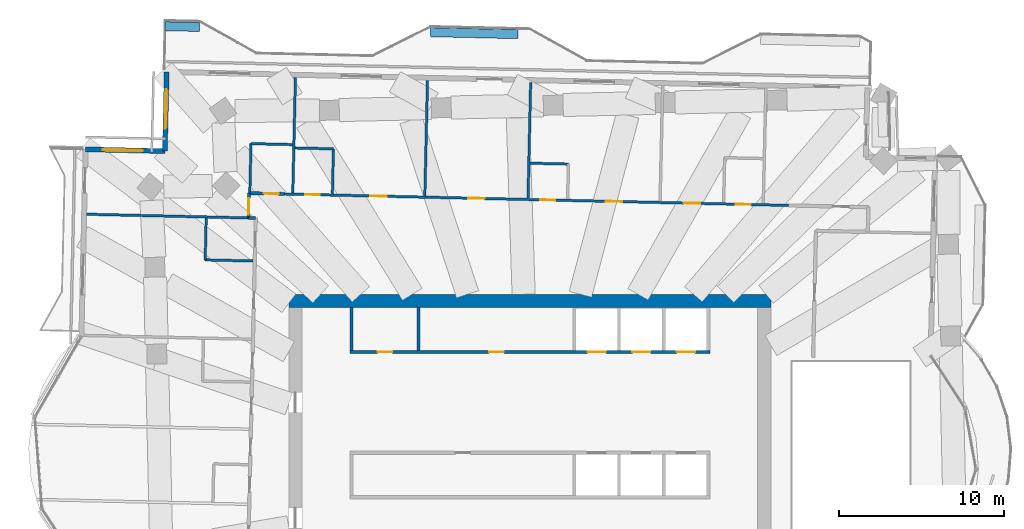
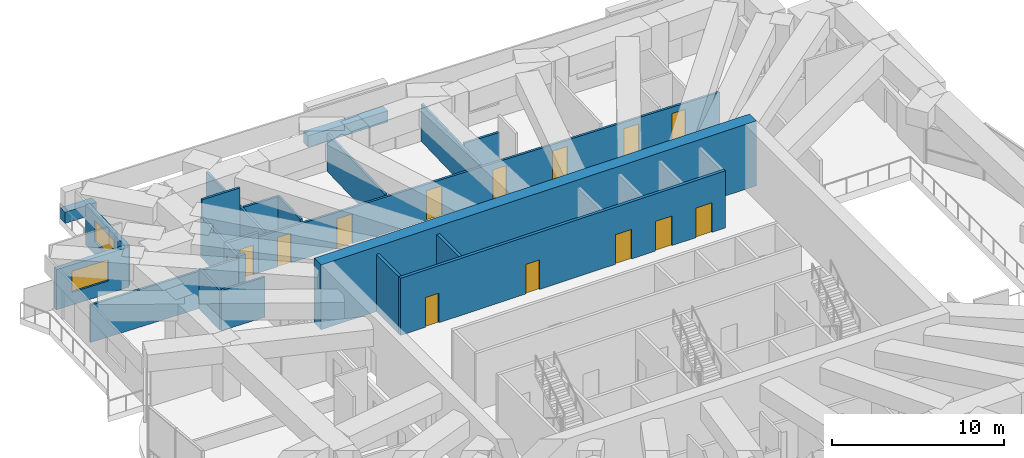
# One storey, part 12 of 19: 23 walls, 14 doors, 2 windows, 16 openings.
"""IFC4 building model written with IfcOpenShell, lengths in metres."""

from ifc_helpers import new_model, si_unit, direction, frame, frame_2d, origin, place, context, subcontext, project, spatial, rectangle, extrude, material, layer, layer_set, type_object, element, fill, save


model = new_model("IFC4")

# Units and contexts
model_context = context("Model", 3, precision=1e-05, world=origin(), true_north=direction((0.0, 1.0)))
body_context = subcontext(model_context, "Body", "Model", "MODEL_VIEW")
ifc_project = project(units=[si_unit("LENGTHUNIT", "METRE"), si_unit("AREAUNIT", "SQUARE_METRE"), si_unit("VOLUMEUNIT", "CUBIC_METRE"), si_unit("PLANEANGLEUNIT", "RADIAN"), si_unit("MASSUNIT", "GRAM", prefix="KILO")], contexts=[model_context])

# Site, building, storey
site_placement = place(None, origin())
site = spatial("IfcSite", under=ifc_project, at=site_placement, CompositionType="ELEMENT")
building_placement = place(site_placement, origin())
building = spatial("IfcBuilding", under=site, at=building_placement, Name="Mangrove Gate Tower", CompositionType="ELEMENT")
storey_placement = place(building_placement, frame((0.0, 0.0, 193.300048828125)))
storey = spatial("IfcBuildingStorey", under=building, at=storey_placement, Name="L49", CompositionType="ELEMENT", Elevation=193.300048828125)

# Walls
ifc_material_1 = material(Name="Concrete C32/40", Category="concrete")
ifc_layer_1 = layer(ifc_material_1, 0.199951171875)
ifc_layer_set_1 = layer_set([ifc_layer_1], Name="Core room wall 200 C32/40")
wall_type_1 = type_object("IfcWallType", Name="Core room wall 200 C32/40", PredefinedType="STANDARD", material=ifc_layer_set_1)
for number, where, z_axis, x_axis, name in (
    (1, (-10.800048828125, 8.199951171875, 0.0), (0.0, 0.0, 1.0), (0.0, 1.0, 0.0), "WALL-L49-CORE-24"),
    (2, (-6.75, 8.199951171875, 0.0), (0.0, 0.0, 1.0), (0.0, 1.0, 0.0), "WALL-L49-CORE-25"),
):
    element("IfcWall", number, at=place(storey_placement, frame(where, z_axis=z_axis, x_axis=x_axis)), inside=storey, type_object=wall_type_1, Name=name, PredefinedType="STANDARD", context=body_context, shape_type="SweptSolid", body=[
        extrude(rectangle(XDim=2.60009765625, YDim=0.199951171875, at=frame_2d((1.300048828125, 0.0))), origin(), (0.0, 0.0, 1.0), 4.050048828125),
    ])

# Wall, openings, doors
ifc_material_2 = material(Name="Concrete C60/75", Category="concrete")
ifc_layer_2 = layer(ifc_material_2, 0.199951171875)
ifc_layer_set_2 = layer_set([ifc_layer_2], Name="Core shaft wall 200 C60/75")
wall_type_2 = type_object("IfcWallType", Name="Core shaft wall 200 C60/75", PredefinedType="SHEAR", material=ifc_layer_set_2)
wall_1_placement = place(storey_placement, frame((-10.89990234375, 8.10009765625, 0.0), z_axis=(0.0, 0.0, 1.0), x_axis=(1.0, 0.0, 0.0)))
wall_1 = element("IfcWall", 3, at=wall_1_placement, inside=storey, type_object=wall_type_2, Name="WALL-L49-CORE-8", PredefinedType="SHEAR", context=body_context, shape_type="SweptSolid", body=[
    extrude(rectangle(XDim=21.7998046875, YDim=0.199951171875, at=frame_2d((10.89990234375, 0.0))), origin(), (0.0, 0.0, 1.0), 4.050048828125),
])
opening_1_placement = place(wall_1_placement, frame((14.39990234375, 0.0, 0.0)))
opening_1 = element("IfcOpeningElement", 4, at=opening_1_placement, cuts=wall_1, Name="Opening LD", PredefinedType="OPENING", context=body_context, shape_type="SweptSolid", body=[
    extrude(rectangle(XDim=1.10009765625, YDim=2.10009765625, at=frame_2d((0.550048828125, 1.050048828125))), frame((0.0, 0.10986328125, 0.0), z_axis=(0.0, -1.0, 0.0), x_axis=(1.0, 0.0, 0.0)), (0.0, 0.0, 1.0), 0.219970703125),
])
opening_2_placement = place(wall_1_placement, frame((17.10009765625, 0.0, 0.0)))
opening_2 = element("IfcOpeningElement", 5, at=opening_2_placement, cuts=wall_1, Name="Opening LD", PredefinedType="OPENING", context=body_context, shape_type="SweptSolid", body=[
    extrude(rectangle(XDim=1.10009765625, YDim=2.10009765625, at=frame_2d((0.550048828125, 1.050048828125))), frame((0.0, 0.10986328125, 0.0), z_axis=(0.0, -1.0, 0.0), x_axis=(1.0, 0.0, 0.0)), (0.0, 0.0, 1.0), 0.219970703125),
])
opening_3_placement = place(wall_1_placement, frame((19.800048828125, 0.0, 0.0)))
opening_3 = element("IfcOpeningElement", 6, at=opening_3_placement, cuts=wall_1, Name="Opening LD", PredefinedType="OPENING", context=body_context, shape_type="SweptSolid", body=[
    extrude(rectangle(XDim=1.10009765625, YDim=2.10009765625, at=frame_2d((0.550048828125, 1.050048828125))), frame((0.0, 0.10986328125, 0.0), z_axis=(0.0, -1.0, 0.0), x_axis=(1.0, 0.0, 0.0)), (0.0, 0.0, 1.0), 0.219970703125),
])
opening_4_placement = place(wall_1_placement, frame((1.675048828125, 0.0, 0.0)))
opening_4 = element("IfcOpeningElement", 7, at=opening_4_placement, cuts=wall_1, Name="Opening KD", PredefinedType="OPENING", context=body_context, shape_type="SweptSolid", body=[
    extrude(rectangle(XDim=0.89990234375, YDim=2.10009765625, at=frame_2d((0.449951171875, 1.050048828125))), frame((0.0, 0.10986328125, 0.0), z_axis=(0.0, -1.0, 0.0), x_axis=(1.0, 0.0, 0.0)), (0.0, 0.0, 1.0), 0.219970703125),
])
opening_5_placement = place(wall_1_placement, frame((8.425048828125, 0.0, 0.0)))
opening_5 = element("IfcOpeningElement", 8, at=opening_5_placement, cuts=wall_1, Name="Opening KD", PredefinedType="OPENING", context=body_context, shape_type="SweptSolid", body=[
    extrude(rectangle(XDim=0.89990234375, YDim=2.10009765625, at=frame_2d((0.449951171875, 1.050048828125))), frame((0.0, 0.10986328125, 0.0), z_axis=(0.0, -1.0, 0.0), x_axis=(1.0, 0.0, 0.0)), (0.0, 0.0, 1.0), 0.219970703125),
])
ifc_material_3 = material(Name="Fire-rated steel door set", Category="steel")
door_type_1 = type_object("IfcDoorType", Name="Core room door FD30S 900x2100", OperationType="SINGLE_SWING_RIGHT", PredefinedType="DOOR", material=ifc_material_3)
door_1_placement = place(opening_4_placement, origin())
door_1 = element("IfcDoor", 9, at=door_1_placement, inside=storey, type_object=door_type_1, Name="Core room door Pantry store", OperationType="SINGLE_SWING_RIGHT", OverallHeight=2.10009765625, OverallWidth=0.89990234375, PredefinedType="DOOR", context=body_context, shape_type="SweptSolid", body=[
    extrude(rectangle(XDim=0.89990234375, YDim=2.10009765625, at=frame_2d((0.449951171875, 1.050048828125))), frame((0.0, 0.02490234375, 0.0), z_axis=(0.0, -1.0, 0.0), x_axis=(1.0, 0.0, 0.0)), (0.0, 0.0, 1.0), 0.050048828125),
])
fill(opening_4, door_1)
door_2_placement = place(opening_5_placement, origin())
door_2 = element("IfcDoor", 10, at=door_2_placement, inside=storey, type_object=door_type_1, Name="Core room door Cleaner's store", OperationType="SINGLE_SWING_RIGHT", OverallHeight=2.10009765625, OverallWidth=0.89990234375, PredefinedType="DOOR", context=body_context, shape_type="SweptSolid", body=[
    extrude(rectangle(XDim=0.89990234375, YDim=2.10009765625, at=frame_2d((0.449951171875, 1.050048828125))), frame((0.0, 0.02490234375, 0.0), z_axis=(0.0, -1.0, 0.0), x_axis=(1.0, 0.0, 0.0)), (0.0, 0.0, 1.0), 0.050048828125),
])
fill(opening_5, door_2)
ifc_material_4 = material(Name="Stainless steel 316", Category="steel")
door_type_2 = type_object("IfcDoorType", Name="Lift landing door 1100x2100", OperationType="SLIDING_TO_LEFT", PredefinedType="DOOR", material=ifc_material_4)
door_3_placement = place(opening_1_placement, origin())
door_3 = element("IfcDoor", 11, at=door_3_placement, inside=storey, type_object=door_type_2, Name="Landing door LD M04", OperationType="SLIDING_TO_LEFT", OverallHeight=2.10009765625, OverallWidth=1.10009765625, PredefinedType="DOOR", context=body_context, shape_type="SweptSolid", body=[
    extrude(rectangle(XDim=1.10009765625, YDim=2.10009765625, at=frame_2d((0.550048828125, 1.050048828125))), frame((0.0, 0.02490234375, 0.0), z_axis=(0.0, -1.0, 0.0), x_axis=(1.0, 0.0, 0.0)), (0.0, 0.0, 1.0), 0.050048828125),
])
fill(opening_1, door_3)
door_4_placement = place(opening_2_placement, origin())
door_4 = element("IfcDoor", 12, at=door_4_placement, inside=storey, type_object=door_type_2, Name="Landing door LD M05", OperationType="SLIDING_TO_LEFT", OverallHeight=2.10009765625, OverallWidth=1.10009765625, PredefinedType="DOOR", context=body_context, shape_type="SweptSolid", body=[
    extrude(rectangle(XDim=1.10009765625, YDim=2.10009765625, at=frame_2d((0.550048828125, 1.050048828125))), frame((0.0, 0.02490234375, 0.0), z_axis=(0.0, -1.0, 0.0), x_axis=(1.0, 0.0, 0.0)), (0.0, 0.0, 1.0), 0.050048828125),
])
fill(opening_2, door_4)
door_5_placement = place(opening_3_placement, origin())
door_5 = element("IfcDoor", 13, at=door_5_placement, inside=storey, type_object=door_type_2, Name="Landing door LD M06", OperationType="SLIDING_TO_LEFT", OverallHeight=2.10009765625, OverallWidth=1.10009765625, PredefinedType="DOOR", context=body_context, shape_type="SweptSolid", body=[
    extrude(rectangle(XDim=1.10009765625, YDim=2.10009765625, at=frame_2d((0.550048828125, 1.050048828125))), frame((0.0, 0.02490234375, 0.0), z_axis=(0.0, -1.0, 0.0), x_axis=(1.0, 0.0, 0.0)), (0.0, 0.0, 1.0), 0.050048828125),
])
fill(opening_3, door_5)

# Walls
ifc_material_5 = material(Name="Concrete C60/75", Category="concrete")
ifc_layer_3 = layer(ifc_material_5, 0.800048828125)
ifc_layer_set_3 = layer_set([ifc_layer_3], Name="Core wall 800 C60/75")
wall_type_3 = type_object("IfcWallType", Name="Core wall 800 C60/75", PredefinedType="SHEAR", material=ifc_layer_set_3)
wall_2_placement = place(storey_placement, frame((-14.60009765625, 11.199951171875, 0.0), z_axis=(0.0, 0.0, 1.0), x_axis=(1.0, 0.0, 0.0)))
element("IfcWall", 14, at=wall_2_placement, inside=storey, type_object=wall_type_3, Name="WALL-L49-CORE-2", PredefinedType="SHEAR", context=body_context, shape_type="SweptSolid", body=[
    extrude(rectangle(XDim=29.2001953125, YDim=0.800048828125, at=frame_2d((14.60009765625, 0.0))), origin(), (0.0, 0.0, 1.0), 4.599853515625),
])
ifc_material_6 = material(Name="Gypsum board on steel stud, EI 60", Category="steel")
ifc_layer_4 = layer(ifc_material_6, 0.199951171875)
ifc_layer_set_4 = layer_set([ifc_layer_4], Name="Corridor wall EI 60")
wall_type_4 = type_object("IfcWallType", Name="Corridor wall EI 60", PredefinedType="PARTITIONING", material=ifc_layer_set_4)
wall_3_placement = place(storey_placement, frame((-17.0400390625, 16.22412109375, 0.0), z_axis=(0.0, 0.0, 1.0), x_axis=(0.999736607625, -0.022950280466, 0.0)))
element("IfcWall", 15, at=wall_3_placement, inside=storey, type_object=wall_type_4, Name="WALL-L49-036", PredefinedType="PARTITIONING", context=body_context, shape_type="SweptSolid", body=[
    extrude(rectangle(XDim=0.43603515625, YDim=0.199951171875, at=frame_2d((0.218017578125, 0.0))), origin(), (0.0, 0.0, 1.0), 2.849853515625),
])

# Wall, opening, door
wall_4_placement = place(storey_placement, frame((-17.04296875, 16.22802734375, 0.0), z_axis=(0.0, 0.0, 1.0), x_axis=(0.022617910375, 0.999744182344, 0.0)))
wall_4 = element("IfcWall", 16, at=wall_4_placement, inside=storey, type_object=wall_type_4, Name="WALL-L49-039", PredefinedType="PARTITIONING", context=body_context, shape_type="SweptSolid", body=[
    extrude(rectangle(XDim=1.50048828125, YDim=0.199951171875, at=frame_2d((0.750244140625, 0.0))), origin(), (0.0, 0.0, 1.0), 2.849853515625),
])
opening_6_placement = place(wall_4_placement, frame((0.199951171875, 0.0, 0.0)))
opening_6 = element("IfcOpeningElement", 17, at=opening_6_placement, cuts=wall_4, Name="Opening AD", PredefinedType="OPENING", context=body_context, shape_type="SweptSolid", body=[
    extrude(rectangle(XDim=1.0, YDim=2.10009765625, at=frame_2d((0.5, 1.050048828125))), frame((0.0, 0.10986328125, 0.0), z_axis=(0.0, -1.0, 0.0), x_axis=(1.0, 0.0, 0.0)), (0.0, 0.0, 1.0), 0.219970703125),
])
ifc_material_7 = material(Name="Timber door leaf", Category="wood")
door_type_3 = type_object("IfcDoorType", Name="Amenity door 1000", OperationType="SINGLE_SWING_LEFT", PredefinedType="DOOR", material=ifc_material_7)
door_6_placement = place(opening_6_placement, origin())
door_6 = element("IfcDoor", 18, at=door_6_placement, inside=storey, type_object=door_type_3, Name="DOOR-L49-GAM-c5c", OperationType="SINGLE_SWING_LEFT", OverallHeight=2.10009765625, OverallWidth=1.0, PredefinedType="DOOR", context=body_context, shape_type="SweptSolid", body=[
    extrude(rectangle(XDim=1.0, YDim=2.10009765625, at=frame_2d((0.5, 1.050048828125))), frame((0.0, 0.02490234375, 0.0), z_axis=(0.0, -1.0, 0.0), x_axis=(1.0, 0.0, 0.0)), (0.0, 0.0, 1.0), 0.050048828125),
])
fill(opening_6, door_6)

wall_5_placement = place(storey_placement, frame((-16.965087890625, 17.722900390625, 0.0), z_axis=(0.0, 0.0, 1.0), x_axis=(0.999738756022, -0.022856502529, 0.0)))
wall_5 = element("IfcWall", 19, at=wall_5_placement, inside=storey, type_object=wall_type_4, Name="WALL-L49-041", PredefinedType="PARTITIONING", context=body_context, shape_type="SweptSolid", body=[
    extrude(rectangle(XDim=2.093505859375, YDim=0.199951171875, at=frame_2d((1.046875, 0.0))), origin(), (0.0, 0.0, 1.0), 2.849853515625),
])
opening_7_placement = place(wall_5_placement, frame((0.85400390625, 0.0, 0.0)))
opening_7 = element("IfcOpeningElement", 20, at=opening_7_placement, cuts=wall_5, Name="Opening SD", PredefinedType="OPENING", context=body_context, shape_type="SweptSolid", body=[
    extrude(rectangle(XDim=0.89990234375, YDim=2.10009765625, at=frame_2d((0.449951171875, 1.050048828125))), frame((0.0, 0.10986328125, 0.0), z_axis=(0.0, -1.0, 0.0), x_axis=(1.0, 0.0, 0.0)), (0.0, 0.0, 1.0), 0.219970703125),
])
ifc_material_8 = material(Name="Timber door leaf", Category="wood")
door_type_4 = type_object("IfcDoorType", Name="Service room door 900", OperationType="SINGLE_SWING_LEFT", PredefinedType="DOOR", material=ifc_material_8)
door_7_placement = place(opening_7_placement, origin())
door_7 = element("IfcDoor", 21, at=door_7_placement, inside=storey, type_object=door_type_4, Name="DOOR-L49-AWC-c5a", OperationType="SINGLE_SWING_RIGHT", OverallHeight=2.10009765625, OverallWidth=0.89990234375, PredefinedType="DOOR", context=body_context, shape_type="SweptSolid", body=[
    extrude(rectangle(XDim=0.89990234375, YDim=2.10009765625, at=frame_2d((0.449951171875, 1.050048828125))), frame((0.0, 0.02490234375, 0.0), z_axis=(0.0, -1.0, 0.0), x_axis=(1.0, 0.0, 0.0)), (0.0, 0.0, 1.0), 0.050048828125),
])
fill(opening_7, door_7)

# Wall, opening, window
ifc_material_9 = material(Name="Limestone", Category="masonry")
ifc_layer_5 = layer(ifc_material_9, 0.0400390625, Name="Limestone cladding")
ifc_material_10 = material(Name="Ventilated air gap")
ifc_layer_6 = layer(ifc_material_10, 0.0400390625, Name="Ventilated cavity")
ifc_material_11 = material(Name="Mineral wool insulation")
ifc_layer_7 = layer(ifc_material_11, 0.06005859375, Name="Insulation")
ifc_material_12 = material(Name="Breather membrane")
ifc_layer_8 = layer(ifc_material_12, 0.001953125, Name="Breather membrane")
ifc_material_13 = material(Name="Concrete C20/25 blockwork", Category="masonry")
ifc_layer_9 = layer(ifc_material_13, 0.14990234375, Name="Blockwork backing wall")
ifc_material_14 = material(Name="Gypsum plaster")
ifc_layer_10 = layer(ifc_material_14, 0.008056640625, Name="Internal plaster")
ifc_layer_set_5 = layer_set([ifc_layer_5, ifc_layer_6, ifc_layer_7, ifc_layer_8, ifc_layer_9, ifc_layer_10], Name="External wall 300 limestone cladding")
wall_type_5 = type_object("IfcWallType", Name="External wall 300 limestone cladding", PredefinedType="SOLIDWALL", material=ifc_layer_set_5)
wall_6_placement = place(storey_placement, frame((-21.99609375, 25.069091796875, 0.0), z_axis=(0.0, 0.0, 1.0), x_axis=(-0.022683280499, -0.999742701292, 0.0)))
wall_6 = element("IfcWall", 22, at=wall_6_placement, inside=storey, type_object=wall_type_5, Name="WALL-L49-W6", PredefinedType="SOLIDWALL", context=body_context, shape_type="SweptSolid", body=[
    extrude(rectangle(XDim=4.80029296875, YDim=0.300048828125, at=frame_2d((2.400146484375, 0.0))), origin(), (0.0, 0.0, 1.0), 2.849853515625),
])
opening_8_placement = place(wall_6_placement, frame((1.050048828125, 0.0, 0.89990234375)))
opening_8 = element("IfcOpeningElement", 23, at=opening_8_placement, cuts=wall_6, Name="Opening W2", PredefinedType="OPENING", context=body_context, shape_type="SweptSolid", body=[
    extrude(rectangle(XDim=2.39990234375, YDim=1.5, at=frame_2d((1.199951171875, 0.75))), frame((0.0, 0.159912109375, 0.0), z_axis=(0.0, -1.0, 0.0), x_axis=(1.0, 0.0, 0.0)), (0.0, 0.0, 1.0), 0.320068359375),
])
ifc_material_15 = material(Name="Aluminium frame with double-glazed low-e glass", Category="aluminium")
window_type = type_object("IfcWindowType", Name="Corner room window 2400x1500", PartitioningType="DOUBLE_PANEL_VERTICAL", PredefinedType="WINDOW", material=ifc_material_15)
window_1_placement = place(opening_8_placement, origin())
window_1 = element("IfcWindow", 24, at=window_1_placement, inside=storey, type_object=window_type, Name="WIN-L49-W6-1", OverallHeight=1.5, OverallWidth=2.39990234375, PartitioningType="DOUBLE_PANEL_VERTICAL", PredefinedType="WINDOW", context=body_context, shape_type="SweptSolid", body=[
    extrude(rectangle(XDim=2.39990234375, YDim=1.5, at=frame_2d((1.199951171875, 0.75))), frame((0.0, 0.030029296875, 0.0), z_axis=(0.0, -1.0, 0.0), x_axis=(1.0, 0.0, 0.0)), (0.0, 0.0, 1.0), 0.06005859375),
])
fill(opening_8, window_1)

wall_7_placement = place(storey_placement, frame((-22.10498046875, 20.27001953125, 0.0), z_axis=(0.0, 0.0, 1.0), x_axis=(-0.999742701292, 0.022683280499, 0.0)))
wall_7 = element("IfcWall", 25, at=wall_7_placement, inside=storey, type_object=wall_type_5, Name="WALL-L49-N7", PredefinedType="SOLIDWALL", context=body_context, shape_type="SweptSolid", body=[
    extrude(rectangle(XDim=4.80029296875, YDim=0.300048828125, at=frame_2d((2.400146484375, 0.0))), origin(), (0.0, 0.0, 1.0), 2.849853515625),
])
opening_9_placement = place(wall_7_placement, frame((1.35009765625, 0.0, 0.89990234375)))
opening_9 = element("IfcOpeningElement", 26, at=opening_9_placement, cuts=wall_7, Name="Opening W2", PredefinedType="OPENING", context=body_context, shape_type="SweptSolid", body=[
    extrude(rectangle(XDim=2.39990234375, YDim=1.5, at=frame_2d((1.199951171875, 0.75))), frame((0.0, 0.159912109375, 0.0), z_axis=(0.0, -1.0, 0.0), x_axis=(1.0, 0.0, 0.0)), (0.0, 0.0, 1.0), 0.320068359375),
])
window_2_placement = place(opening_9_placement, origin())
window_2 = element("IfcWindow", 27, at=window_2_placement, inside=storey, type_object=window_type, Name="WIN-L49-N7-1", OverallHeight=1.5, OverallWidth=2.39990234375, PartitioningType="DOUBLE_PANEL_VERTICAL", PredefinedType="WINDOW", context=body_context, shape_type="SweptSolid", body=[
    extrude(rectangle(XDim=2.39990234375, YDim=1.5, at=frame_2d((1.199951171875, 0.75))), frame((0.0, 0.030029296875, 0.0), z_axis=(0.0, -1.0, 0.0), x_axis=(1.0, 0.0, 0.0)), (0.0, 0.0, 1.0), 0.06005859375),
])
fill(opening_9, window_2)

# Walls
ifc_material_16 = material(Name="Gypsum board on steel stud, EI 60", Category="steel")
ifc_layer_11 = layer(ifc_material_16, 0.14990234375)
ifc_layer_set_6 = layer_set([ifc_layer_11], Name="Party wall 150 EI 60")
wall_type_6 = type_object("IfcWallType", Name="Party wall 150 EI 60", PredefinedType="PARTITIONING", material=ifc_layer_set_6)
wall_8_placement = place(storey_placement, frame((-19.6630859375, 13.68310546875, 0.0), z_axis=(0.0, 0.0, 1.0), x_axis=(0.999739876649, -0.022807433839, 0.0)))
element("IfcWall", 28, at=wall_8_placement, inside=storey, type_object=wall_type_6, Name="WALL-L49-033", PredefinedType="PARTITIONING", context=body_context, shape_type="SweptSolid", body=[
    extrude(rectangle(XDim=2.90087890625, YDim=0.14990234375, at=frame_2d((1.450439453125, 0.0))), origin(), (0.0, 0.0, 1.0), 2.849853515625),
])
wall_9_placement = place(storey_placement, frame((-19.662109375, 13.68701171875, 0.0), z_axis=(0.0, 0.0, 1.0), x_axis=(0.023015762656, 0.999735102249, 0.0)))
element("IfcWall", 29, at=wall_9_placement, inside=storey, type_object=wall_type_6, Name="WALL-L49-034", PredefinedType="PARTITIONING", context=body_context, shape_type="SweptSolid", body=[
    extrude(rectangle(XDim=2.524658203125, YDim=0.14990234375, at=frame_2d((1.26220703125, 0.0))), origin(), (0.0, 0.0, 1.0), 2.849853515625),
])
wall_10_placement = place(storey_placement, frame((-26.843017578125, 16.447021484375, 0.0), z_axis=(0.0, 0.0, 1.0), x_axis=(0.999741809847, -0.022722536032, 0.0)))
element("IfcWall", 30, at=wall_10_placement, inside=storey, type_object=wall_type_6, Name="WALL-L49-035", PredefinedType="PARTITIONING", context=body_context, shape_type="SweptSolid", body=[
    extrude(rectangle(XDim=9.8095703125, YDim=0.14990234375, at=frame_2d((4.90478515625, 0.0))), origin(), (0.0, 0.0, 1.0), 2.64990234375),
])

# Wall, openings, doors
wall_11_placement = place(storey_placement, frame((-14.87109375, 17.675048828125, 0.0), z_axis=(0.0, 0.0, 1.0), x_axis=(0.999742359486, -0.02269834024, 0.0)))
wall_11 = element("IfcWall", 31, at=wall_11_placement, inside=storey, type_object=wall_type_6, Name="WALL-L49-042", PredefinedType="PARTITIONING", context=body_context, shape_type="SweptSolid", body=[
    extrude(rectangle(XDim=30.535888671875, YDim=0.14990234375, at=frame_2d((15.26806640625, 0.0))), origin(), (0.0, 0.0, 1.0), 2.550048828125),
])
opening_10_placement = place(wall_11_placement, frame((24.18408203125, 0.0, 0.0)))
opening_10 = element("IfcOpeningElement", 32, at=opening_10_placement, cuts=wall_11, Name="Opening AD", PredefinedType="OPENING", context=body_context, shape_type="SweptSolid", body=[
    extrude(rectangle(XDim=1.0, YDim=2.10009765625, at=frame_2d((0.5, 1.050048828125))), frame((0.0, 0.0849609375, 0.0), z_axis=(0.0, -1.0, 0.0), x_axis=(1.0, 0.0, 0.0)), (0.0, 0.0, 1.0), 0.169921875),
])
opening_11_placement = place(wall_11_placement, frame((27.35888671875, 0.0, 0.0)))
opening_11 = element("IfcOpeningElement", 33, at=opening_11_placement, cuts=wall_11, Name="Opening SD", PredefinedType="OPENING", context=body_context, shape_type="SweptSolid", body=[
    extrude(rectangle(XDim=0.89990234375, YDim=2.10009765625, at=frame_2d((0.449951171875, 1.050048828125))), frame((0.0, 0.0849609375, 0.0), z_axis=(0.0, -1.0, 0.0), x_axis=(1.0, 0.0, 0.0)), (0.0, 0.0, 1.0), 0.169921875),
])
opening_12_placement = place(wall_11_placement, frame((19.458984375, 0.0, 0.0)))
opening_12 = element("IfcOpeningElement", 34, at=opening_12_placement, cuts=wall_11, Name="Opening AD", PredefinedType="OPENING", context=body_context, shape_type="SweptSolid", body=[
    extrude(rectangle(XDim=1.0, YDim=2.10009765625, at=frame_2d((0.5, 1.050048828125))), frame((0.0, 0.0849609375, 0.0), z_axis=(0.0, -1.0, 0.0), x_axis=(1.0, 0.0, 0.0)), (0.0, 0.0, 1.0), 0.169921875),
])
opening_13_placement = place(wall_11_placement, frame((15.509033203125, 0.0, 0.0)))
opening_13 = element("IfcOpeningElement", 35, at=opening_13_placement, cuts=wall_11, Name="Opening SD", PredefinedType="OPENING", context=body_context, shape_type="SweptSolid", body=[
    extrude(rectangle(XDim=0.89990234375, YDim=2.10009765625, at=frame_2d((0.449951171875, 1.050048828125))), frame((0.0, 0.0849609375, 0.0), z_axis=(0.0, -1.0, 0.0), x_axis=(1.0, 0.0, 0.0)), (0.0, 0.0, 1.0), 0.169921875),
])
opening_14_placement = place(wall_11_placement, frame((11.134033203125, 0.0, 0.0)))
opening_14 = element("IfcOpeningElement", 36, at=opening_14_placement, cuts=wall_11, Name="Opening AD", PredefinedType="OPENING", context=body_context, shape_type="SweptSolid", body=[
    extrude(rectangle(XDim=1.0, YDim=2.10009765625, at=frame_2d((0.5, 1.050048828125))), frame((0.0, 0.0849609375, 0.0), z_axis=(0.0, -1.0, 0.0), x_axis=(1.0, 0.0, 0.0)), (0.0, 0.0, 1.0), 0.169921875),
])
opening_15_placement = place(wall_11_placement, frame((5.208984375, 0.0, 0.0)))
opening_15 = element("IfcOpeningElement", 37, at=opening_15_placement, cuts=wall_11, Name="Opening AD", PredefinedType="OPENING", context=body_context, shape_type="SweptSolid", body=[
    extrude(rectangle(XDim=1.0, YDim=2.10009765625, at=frame_2d((0.5, 1.050048828125))), frame((0.0, 0.0849609375, 0.0), z_axis=(0.0, -1.0, 0.0), x_axis=(1.0, 0.0, 0.0)), (0.0, 0.0, 1.0), 0.169921875),
])
opening_16_placement = place(wall_11_placement, frame((1.259033203125, 0.0, 0.0)))
opening_16 = element("IfcOpeningElement", 38, at=opening_16_placement, cuts=wall_11, Name="Opening SD", PredefinedType="OPENING", context=body_context, shape_type="SweptSolid", body=[
    extrude(rectangle(XDim=0.89990234375, YDim=2.10009765625, at=frame_2d((0.449951171875, 1.050048828125))), frame((0.0, 0.0849609375, 0.0), z_axis=(0.0, -1.0, 0.0), x_axis=(1.0, 0.0, 0.0)), (0.0, 0.0, 1.0), 0.169921875),
])
door_8_placement = place(opening_10_placement, origin())
door_8 = element("IfcDoor", 39, at=door_8_placement, inside=storey, type_object=door_type_3, Name="DOOR-L49-KIT-c5b", OperationType="SINGLE_SWING_LEFT", OverallHeight=2.10009765625, OverallWidth=1.0, PredefinedType="DOOR", context=body_context, shape_type="SweptSolid", body=[
    extrude(rectangle(XDim=1.0, YDim=2.10009765625, at=frame_2d((0.5, 1.050048828125))), frame((0.0, 0.02490234375, 0.0), z_axis=(0.0, -1.0, 0.0), x_axis=(1.0, 0.0, 0.0)), (0.0, 0.0, 1.0), 0.050048828125),
])
fill(opening_10, door_8)
door_9_placement = place(opening_12_placement, origin())
door_9 = element("IfcDoor", 40, at=door_9_placement, inside=storey, type_object=door_type_3, Name="DOOR-L49-GAM-c5a", OperationType="SINGLE_SWING_RIGHT", OverallHeight=2.10009765625, OverallWidth=1.0, PredefinedType="DOOR", context=body_context, shape_type="SweptSolid", body=[
    extrude(rectangle(XDim=1.0, YDim=2.10009765625, at=frame_2d((0.5, 1.050048828125))), frame((0.0, 0.02490234375, 0.0), z_axis=(0.0, -1.0, 0.0), x_axis=(1.0, 0.0, 0.0)), (0.0, 0.0, 1.0), 0.050048828125),
])
fill(opening_12, door_9)
door_10_placement = place(opening_14_placement, origin())
door_10 = element("IfcDoor", 41, at=door_10_placement, inside=storey, type_object=door_type_3, Name="DOOR-L49-KIT-c5c", OperationType="SINGLE_SWING_LEFT", OverallHeight=2.10009765625, OverallWidth=1.0, PredefinedType="DOOR", context=body_context, shape_type="SweptSolid", body=[
    extrude(rectangle(XDim=1.0, YDim=2.10009765625, at=frame_2d((0.5, 1.050048828125))), frame((0.0, 0.02490234375, 0.0), z_axis=(0.0, -1.0, 0.0), x_axis=(1.0, 0.0, 0.0)), (0.0, 0.0, 1.0), 0.050048828125),
])
fill(opening_14, door_10)
door_11_placement = place(opening_15_placement, origin())
door_11 = element("IfcDoor", 42, at=door_11_placement, inside=storey, type_object=door_type_3, Name="DOOR-L49-GAM-c5b", OperationType="SINGLE_SWING_RIGHT", OverallHeight=2.10009765625, OverallWidth=1.0, PredefinedType="DOOR", context=body_context, shape_type="SweptSolid", body=[
    extrude(rectangle(XDim=1.0, YDim=2.10009765625, at=frame_2d((0.5, 1.050048828125))), frame((0.0, 0.02490234375, 0.0), z_axis=(0.0, -1.0, 0.0), x_axis=(1.0, 0.0, 0.0)), (0.0, 0.0, 1.0), 0.050048828125),
])
fill(opening_15, door_11)
door_12_placement = place(opening_11_placement, origin())
door_12 = element("IfcDoor", 43, at=door_12_placement, inside=storey, type_object=door_type_4, Name="DOOR-L49-WC-c5a", OperationType="SINGLE_SWING_LEFT", OverallHeight=2.10009765625, OverallWidth=0.89990234375, PredefinedType="DOOR", context=body_context, shape_type="SweptSolid", body=[
    extrude(rectangle(XDim=0.89990234375, YDim=2.10009765625, at=frame_2d((0.449951171875, 1.050048828125))), frame((0.0, 0.02490234375, 0.0), z_axis=(0.0, -1.0, 0.0), x_axis=(1.0, 0.0, 0.0)), (0.0, 0.0, 1.0), 0.050048828125),
])
fill(opening_11, door_12)
door_13_placement = place(opening_13_placement, origin())
door_13 = element("IfcDoor", 44, at=door_13_placement, inside=storey, type_object=door_type_4, Name="DOOR-L49-LIN-c5a", OperationType="SINGLE_SWING_RIGHT", OverallHeight=2.10009765625, OverallWidth=0.89990234375, PredefinedType="DOOR", context=body_context, shape_type="SweptSolid", body=[
    extrude(rectangle(XDim=0.89990234375, YDim=2.10009765625, at=frame_2d((0.449951171875, 1.050048828125))), frame((0.0, 0.02490234375, 0.0), z_axis=(0.0, -1.0, 0.0), x_axis=(1.0, 0.0, 0.0)), (0.0, 0.0, 1.0), 0.050048828125),
])
fill(opening_13, door_13)
door_14_placement = place(opening_16_placement, origin())
door_14 = element("IfcDoor", 45, at=door_14_placement, inside=storey, type_object=door_type_4, Name="DOOR-L49-WC-c5b", OperationType="SINGLE_SWING_LEFT", OverallHeight=2.10009765625, OverallWidth=0.89990234375, PredefinedType="DOOR", context=body_context, shape_type="SweptSolid", body=[
    extrude(rectangle(XDim=0.89990234375, YDim=2.10009765625, at=frame_2d((0.449951171875, 1.050048828125))), frame((0.0, 0.02490234375, 0.0), z_axis=(0.0, -1.0, 0.0), x_axis=(1.0, 0.0, 0.0)), (0.0, 0.0, 1.0), 0.050048828125),
])
fill(opening_16, door_14)

# Walls
wall_12_placement = place(storey_placement, frame((-16.958984375, 17.72705078125, 0.0), z_axis=(0.0, 0.0, 1.0), x_axis=(0.022625271604, 0.999744015778, 0.0)))
element("IfcWall", 46, at=wall_12_placement, inside=storey, type_object=wall_type_6, Name="WALL-L49-044", PredefinedType="PARTITIONING", context=body_context, shape_type="SweptSolid", body=[
    extrude(rectangle(XDim=2.999755859375, YDim=0.14990234375, at=frame_2d((1.5, 0.0))), origin(), (0.0, 0.0, 1.0), 2.849853515625),
])
wall_13_placement = place(storey_placement, frame((-14.35791015625, 17.742919921875, 0.0), z_axis=(0.0, 0.0, 1.0), x_axis=(0.022702393474, 0.999742267452, 0.0)))
element("IfcWall", 47, at=wall_13_placement, inside=storey, type_object=wall_type_6, Name="WALL-L49-045", PredefinedType="PARTITIONING", context=body_context, shape_type="SweptSolid", body=[
    extrude(rectangle(XDim=7.000732421875, YDim=0.14990234375, at=frame_2d((3.50048828125, 0.0))), origin(), (0.0, 0.0, 1.0), 2.64990234375),
])
wall_14_placement = place(storey_placement, frame((-11.958984375, 17.68798828125, 0.0), z_axis=(0.0, 0.0, 1.0), x_axis=(0.022758040381, 0.999741002259, 0.0)))
element("IfcWall", 48, at=wall_14_placement, inside=storey, type_object=wall_type_6, Name="WALL-L49-046", PredefinedType="PARTITIONING", context=body_context, shape_type="SweptSolid", body=[
    extrude(rectangle(XDim=2.724853515625, YDim=0.14990234375, at=frame_2d((1.3623046875, 0.0))), origin(), (0.0, 0.0, 1.0), 2.75),
])
wall_15_placement = place(storey_placement, frame((-6.360107421875, 17.56103515625, 0.0), z_axis=(0.0, 0.0, 1.0), x_axis=(0.022737248567, 0.999741475346, 0.0)))
element("IfcWall", 49, at=wall_15_placement, inside=storey, type_object=wall_type_6, Name="WALL-L49-047", PredefinedType="PARTITIONING", context=body_context, shape_type="SweptSolid", body=[
    extrude(rectangle(XDim=7.000732421875, YDim=0.14990234375, at=frame_2d((3.50048828125, 0.0))), origin(), (0.0, 0.0, 1.0), 2.64990234375),
])
wall_16_placement = place(storey_placement, frame((-0.112060546875, 17.4189453125, 0.0), z_axis=(0.0, 0.0, 1.0), x_axis=(0.022734078158, 0.999741547446, 0.0)))
element("IfcWall", 50, at=wall_16_placement, inside=storey, type_object=wall_type_6, Name="WALL-L49-048", PredefinedType="PARTITIONING", context=body_context, shape_type="SweptSolid", body=[
    extrude(rectangle(XDim=7.001708984375, YDim=0.14990234375, at=frame_2d((3.5009765625, 0.0))), origin(), (0.0, 0.0, 1.0), 2.64990234375),
])
wall_17_placement = place(storey_placement, frame((0.009033203125, 19.5380859375, 0.0), z_axis=(0.0, 0.0, 1.0), x_axis=(0.999740478815, -0.022781023197, 0.0)))
element("IfcWall", 51, at=wall_17_placement, inside=storey, type_object=wall_type_6, Name="WALL-L49-053", PredefinedType="PARTITIONING", context=body_context, shape_type="SweptSolid", body=[
    extrude(rectangle(XDim=2.325439453125, YDim=0.14990234375, at=frame_2d((1.16259765625, 0.0))), origin(), (0.0, 0.0, 1.0), 2.849853515625),
])
wall_18_placement = place(storey_placement, frame((-14.222900390625, 20.4609375, 0.0), z_axis=(0.0, 0.0, 1.0), x_axis=(0.999740260747, -0.02279059109, 0.0)))
element("IfcWall", 52, at=wall_18_placement, inside=storey, type_object=wall_type_6, Name="WALL-L49-054", PredefinedType="PARTITIONING", context=body_context, shape_type="SweptSolid", body=[
    extrude(rectangle(XDim=2.324462890625, YDim=0.14990234375, at=frame_2d((1.162109375, 0.0))), origin(), (0.0, 0.0, 1.0), 2.75),
])
wall_19_placement = place(storey_placement, frame((-16.89306640625, 20.721923828125, 0.0), z_axis=(0.0, 0.0, 1.0), x_axis=(0.999746160391, -0.022530308093, 0.0)))
element("IfcWall", 53, at=wall_19_placement, inside=storey, type_object=wall_type_6, Name="WALL-L49-056", PredefinedType="PARTITIONING", context=body_context, shape_type="SweptSolid", body=[
    extrude(rectangle(XDim=2.52490234375, YDim=0.14990234375, at=frame_2d((1.262451171875, 0.0))), origin(), (0.0, 0.0, 1.0), 4.050048828125),
])
ifc_material_17 = material(Name="Concrete C32/40", Category="concrete")
ifc_layer_12 = layer(ifc_material_17, 0.199951171875, Name="Planter trough wall")
ifc_material_18 = material(Name="Bituminous waterproofing membrane")
ifc_layer_13 = layer(ifc_material_18, 0.0048828125, Name="Waterproofing")
ifc_material_19 = material(Name="Drainage board and gravel")
ifc_layer_14 = layer(ifc_material_19, 0.044921875, Name="Drainage layer")
ifc_material_20 = material(Name="Planting soil")
ifc_layer_15 = layer(ifc_material_20, 0.300048828125, Name="Growing medium")
ifc_layer_set_7 = layer_set([ifc_layer_12, ifc_layer_13, ifc_layer_14, ifc_layer_15], Name="Planter wall 550 C32/40")
wall_type_7 = type_object("IfcWallType", Name="Planter wall 550 C32/40", PredefinedType="USERDEFINED", material=ifc_layer_set_7)
wall_20_placement = place(storey_placement, frame((-22.0830078125, 27.8359375, 0.0), z_axis=(0.0, 0.0, 1.0), x_axis=(0.999744201853, -0.022617048045, 0.0)))
element("IfcWall", 54, at=wall_20_placement, inside=storey, type_object=wall_type_7, Name="PLANTER L49 N1.1", ObjectType="PLANTER", PredefinedType="USERDEFINED", context=body_context, shape_type="SweptSolid", body=[
    extrude(rectangle(XDim=2.072509765625, YDim=0.550048828125, at=frame_2d((1.0361328125, 0.0))), origin(), (0.0, 0.0, 1.0), 0.800048828125),
])
wall_21_placement = place(storey_placement, frame((-6.014892578125, 27.471923828125, 0.0), z_axis=(0.0, 0.0, 1.0), x_axis=(0.999744208111, -0.022616771387, 0.0)))
element("IfcWall", 55, at=wall_21_placement, inside=storey, type_object=wall_type_7, Name="PLANTER L49 N1.2", ObjectType="PLANTER", PredefinedType="USERDEFINED", context=body_context, shape_type="SweptSolid", body=[
    extrude(rectangle(XDim=5.30029296875, YDim=0.550048828125, at=frame_2d((2.650146484375, 0.0))), origin(), (0.0, 0.0, 1.0), 0.800048828125),
])

save(model, "model.ifc")
